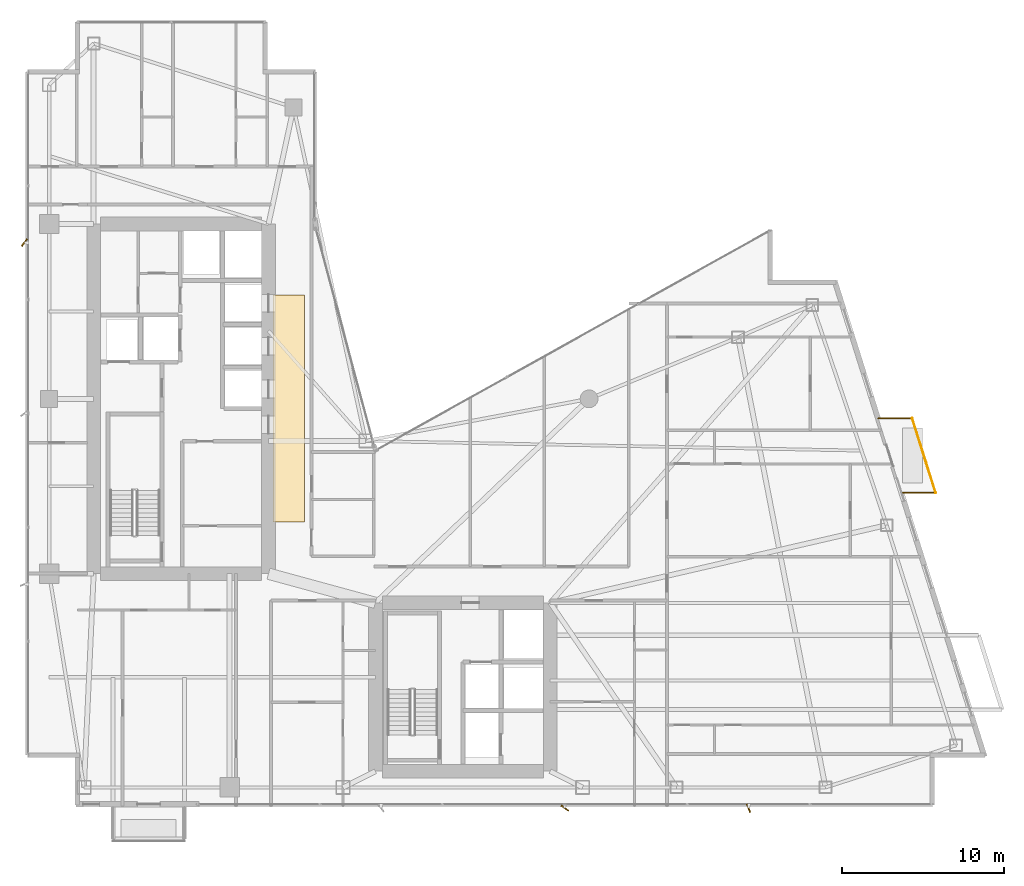
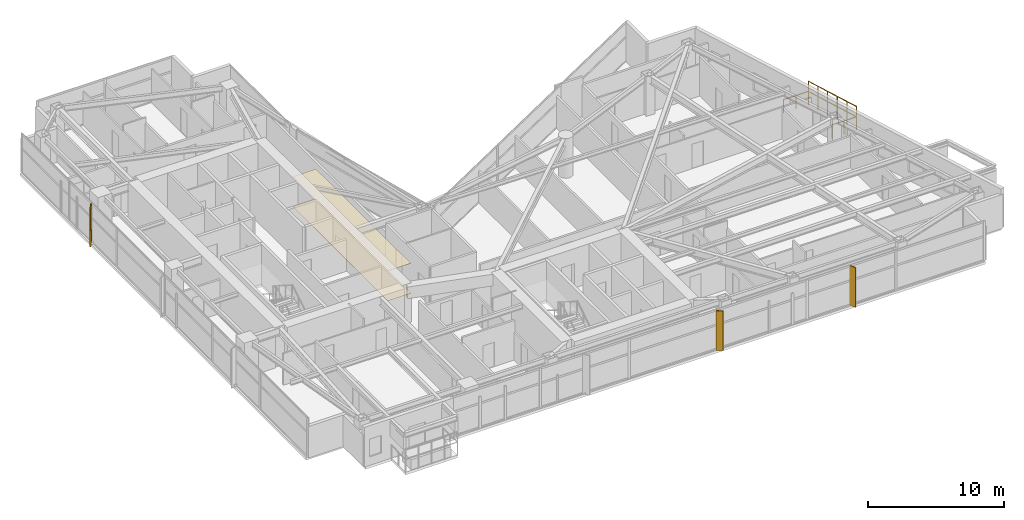
# One storey, part 28 of 28: 3 shading devices, 2 coverings, 2 railings.
"""IFC4 building model written with IfcOpenShell, lengths in metres."""

from ifc_helpers import new_model, si_unit, direction, frame, origin, origin_2d, place, context, subcontext, project, spatial, rectangle, circle, extrude, material, layer, layer_set, type_object, element, save


model = new_model("IFC4")

# Units and contexts
model_context = context("Model", 3, precision=1e-05, world=origin(), true_north=direction((0.0, 1.0)))
body_context = subcontext(model_context, "Body", "Model", "MODEL_VIEW")
ifc_project = project(units=[si_unit("LENGTHUNIT", "METRE"), si_unit("AREAUNIT", "SQUARE_METRE"), si_unit("VOLUMEUNIT", "CUBIC_METRE"), si_unit("PLANEANGLEUNIT", "RADIAN"), si_unit("MASSUNIT", "GRAM", prefix="KILO")], contexts=[model_context])

# Site, building, storey
site_placement = place(None, origin())
site = spatial("IfcSite", under=ifc_project, at=site_placement, CompositionType="ELEMENT")
building_placement = place(site_placement, origin())
building = spatial("IfcBuilding", under=site, at=building_placement, Name="Calvorn Quay Hotel", CompositionType="ELEMENT")
storey_placement = place(building_placement, frame((0.0, 0.0, 116.39990234375)))
storey = spatial("IfcBuildingStorey", under=building, at=storey_placement, Name="L28", CompositionType="ELEMENT", Elevation=116.39990234375)

# Coverings
ifc_material_1 = material(Name="Mineral-Fibre Acoustic Ceiling Tile")
ifc_layer_1 = layer(ifc_material_1, 0.02001953125)
ifc_layer_set_1 = layer_set([ifc_layer_1], Name="COV-CEILING-ACOUSTIC")
covering_type_1 = type_object("IfcCoveringType", Name="COV-CEILING-ACOUSTIC", PredefinedType="CEILING", material=ifc_layer_set_1)
covering_1_placement = place(storey_placement, frame((16.25, 27.0, 2.7001953125), z_axis=(0.0, 0.0, 1.0), x_axis=(1.0, 0.0, 0.0)))
element("IfcCovering", 1, at=covering_1_placement, inside=storey, type_object=covering_type_1, Name="Acoustic Suspended Ceiling (L28)", PredefinedType="CEILING", context=body_context, shape_type="SweptSolid", body=[
    extrude(rectangle(XDim=1.9599609375, YDim=14.0, at=origin_2d()), origin(), (0.0, 0.0, 1.0), 0.02001953125),
])
ifc_material_2 = material(Name="Woven Wool Hospitality Carpet")
ifc_layer_2 = layer(ifc_material_2, 0.02392578125)
ifc_layer_set_2 = layer_set([ifc_layer_2], Name="COV-FLOOR-CARPET")
covering_type_2 = type_object("IfcCoveringType", Name="COV-FLOOR-CARPET", PredefinedType="FLOORING", material=ifc_layer_set_2)
covering_2_placement = place(storey_placement, frame((16.25, 27.0, 0.000244140625), z_axis=(0.0, 0.0, 1.0), x_axis=(1.0, 0.0, 0.0)))
element("IfcCovering", 2, at=covering_2_placement, inside=storey, type_object=covering_type_2, Name="Interior Floor Finish (L28)", PredefinedType="FLOORING", context=body_context, shape_type="SweptSolid", body=[
    extrude(rectangle(XDim=1.9599609375, YDim=14.0, at=origin_2d()), origin(), (0.0, 0.0, 1.0), 0.02392578125),
])

# Railings
ifc_material_3 = material(Name="Pale Anodised Aluminium and Laminated Glass", Category="aluminium")
railing_type = type_object("IfcRailingType", Name="RLG-BALUSTRADE-1200", PredefinedType="BALUSTRADE", material=ifc_material_3)
railing_1_placement = place(storey_placement, frame((54.10595703125, 21.800048828125, 0.0)))
element("IfcRailing", 3, at=railing_1_placement, inside=storey, type_object=railing_type, Name="Tree Balcony Perimeter Balustrade L28-BALC-E", PredefinedType="BALUSTRADE", context=body_context, shape_type="SweptSolid", body=[
    extrude(circle(Radius=0.02392578125, at=origin_2d()), frame((0.0, 0.0, 1.17578125), z_axis=(1.0, 0.0, 0.0), x_axis=(0.0, 1.0, 0.0)), (0.0, 0.0, 1.0), 2.10009765625),
    extrude(circle(Radius=0.02392578125, at=origin_2d()), frame((2.10009765625, 0.0, 1.17578125), z_axis=(-0.300450487966, 0.953797412599, 0.0), x_axis=(-0.953797412599, -0.300450487966, 0.0)), (0.0, 0.0, 1.0), 4.82275390625),
    extrude(circle(Radius=0.02392578125, at=origin_2d()), frame((0.651123046875, 4.599853515625, 1.17578125), z_axis=(-1.0, 0.0, 0.0), x_axis=(0.0, -1.0, 0.0)), (0.0, 0.0, 1.0), 2.10009765625),
    extrude(circle(Radius=0.02099609375, at=origin_2d()), origin(), (0.0, 0.0, 1.0), 1.15185546875),
    extrude(circle(Radius=0.02099609375, at=origin_2d()), frame((1.050048828125, 0.0, 0.0)), (0.0, 0.0, 1.0), 1.15185546875),
    extrude(circle(Radius=0.02099609375, at=origin_2d()), frame((2.10009765625, 0.0, 0.0)), (0.0, 0.0, 1.0), 1.15185546875),
    extrude(circle(Radius=0.02099609375, at=origin_2d()), frame((1.810302734375, 0.919921875, 0.0)), (0.0, 0.0, 1.0), 1.15185546875),
    extrude(circle(Radius=0.02099609375, at=origin_2d()), frame((1.5205078125, 1.83984375, 0.0)), (0.0, 0.0, 1.0), 1.15185546875),
    extrude(circle(Radius=0.02099609375, at=origin_2d()), frame((1.230712890625, 2.760009765625, 0.0)), (0.0, 0.0, 1.0), 1.15185546875),
    extrude(circle(Radius=0.02099609375, at=origin_2d()), frame((0.94091796875, 3.679931640625, 0.0)), (0.0, 0.0, 1.0), 1.15185546875),
    extrude(circle(Radius=0.02099609375, at=origin_2d()), frame((0.651123046875, 4.599853515625, 0.0)), (0.0, 0.0, 1.0), 1.15185546875),
    extrude(circle(Radius=0.02099609375, at=origin_2d()), frame((-0.39892578125, 4.599853515625, 0.0)), (0.0, 0.0, 1.0), 1.15185546875),
    extrude(circle(Radius=0.02099609375, at=origin_2d()), frame((-1.448974609375, 4.599853515625, 0.0)), (0.0, 0.0, 1.0), 1.15185546875),
])
railing_2_placement = place(storey_placement, frame((56.2060546875, 21.800048828125, 0.900146484375)))
element("IfcRailing", 4, at=railing_2_placement, inside=storey, type_object=railing_type, Name="Planter Kerb High Safety Screen L28-BALC-E", PredefinedType="BALUSTRADE", context=body_context, shape_type="SweptSolid", body=[
    extrude(circle(Radius=0.02392578125, at=origin_2d()), frame((0.0, 0.0, 1.19580078125), z_axis=(-0.300450487966, 0.953797412599, 0.0), x_axis=(-0.953797412599, -0.300450487966, 0.0)), (0.0, 0.0, 1.0), 4.82275390625),
    extrude(circle(Radius=0.02099609375, at=origin_2d()), origin(), (0.0, 0.0, 1.0), 1.171875),
    extrude(circle(Radius=0.02099609375, at=origin_2d()), frame((-0.289794921875, 0.919921875, 0.0)), (0.0, 0.0, 1.0), 1.171875),
    extrude(circle(Radius=0.02099609375, at=origin_2d()), frame((-0.57958984375, 1.83984375, 0.0)), (0.0, 0.0, 1.0), 1.171875),
    extrude(circle(Radius=0.02099609375, at=origin_2d()), frame((-0.869384765625, 2.760009765625, 0.0)), (0.0, 0.0, 1.0), 1.171875),
    extrude(circle(Radius=0.02099609375, at=origin_2d()), frame((-1.1591796875, 3.679931640625, 0.0)), (0.0, 0.0, 1.0), 1.171875),
    extrude(circle(Radius=0.02099609375, at=origin_2d()), frame((-1.448974609375, 4.599853515625, 0.0)), (0.0, 0.0, 1.0), 1.171875),
])

# Shading devices
ifc_material_4 = material(Name="Champagne Bronze Anodised Aluminium 6063-T6", Category="aluminium")
shading_device_type_1 = type_object("IfcShadingDeviceType", Name="SHD-FIN-A1", PredefinedType="USERDEFINED", material=ifc_material_4)
shading_device_placement = place(storey_placement, frame((44.64990234375, 2.320068359375, 0.0), z_axis=(0.0, 0.0, 1.0), x_axis=(-0.374606593416, 0.927183854567, 0.0)))
element("IfcShadingDevice", 5, at=shading_device_placement, inside=storey, type_object=shading_device_type_1, Name="Diagonal Sun-Shading Fin L28-S03", ObjectType="FIN", PredefinedType="USERDEFINED", context=body_context, shape_type="SweptSolid", body=[
    extrude(rectangle(XDim=0.550048828125, YDim=0.080078125, at=origin_2d()), origin(), (0.0, 0.0, 1.0), 3.56005859375),
])
ifc_material_5 = material(Name="Champagne Bronze Anodised Aluminium 6063-T6", Category="aluminium")
shading_device_type_2 = type_object("IfcShadingDeviceType", Name="SHD-FIN-A3", PredefinedType="USERDEFINED", material=ifc_material_5)
for number, where, z_axis, x_axis, name in (
    (6, (-0.080078125, 37.25, 0.0), (0.0, 0.0, 1.0), (0.587785252292, 0.809016994375, 0.0), "Diagonal Sun-Shading Fin L28-W03"),
    (7, (33.300048828125, 2.320068359375, 0.0), (0.0, 0.0, 1.0), (-0.809016994375, 0.587785252292, 0.0), "Diagonal Sun-Shading Fin L28-S02"),
):
    element("IfcShadingDevice", number, at=place(storey_placement, frame(where, z_axis=z_axis, x_axis=x_axis)), inside=storey, type_object=shading_device_type_2, Name=name, ObjectType="FIN", PredefinedType="USERDEFINED", context=body_context, shape_type="SweptSolid", body=[
        extrude(rectangle(XDim=0.550048828125, YDim=0.080078125, at=origin_2d()), origin(), (0.0, 0.0, 1.0), 3.56005859375),
    ])

save(model, "model.ifc")
